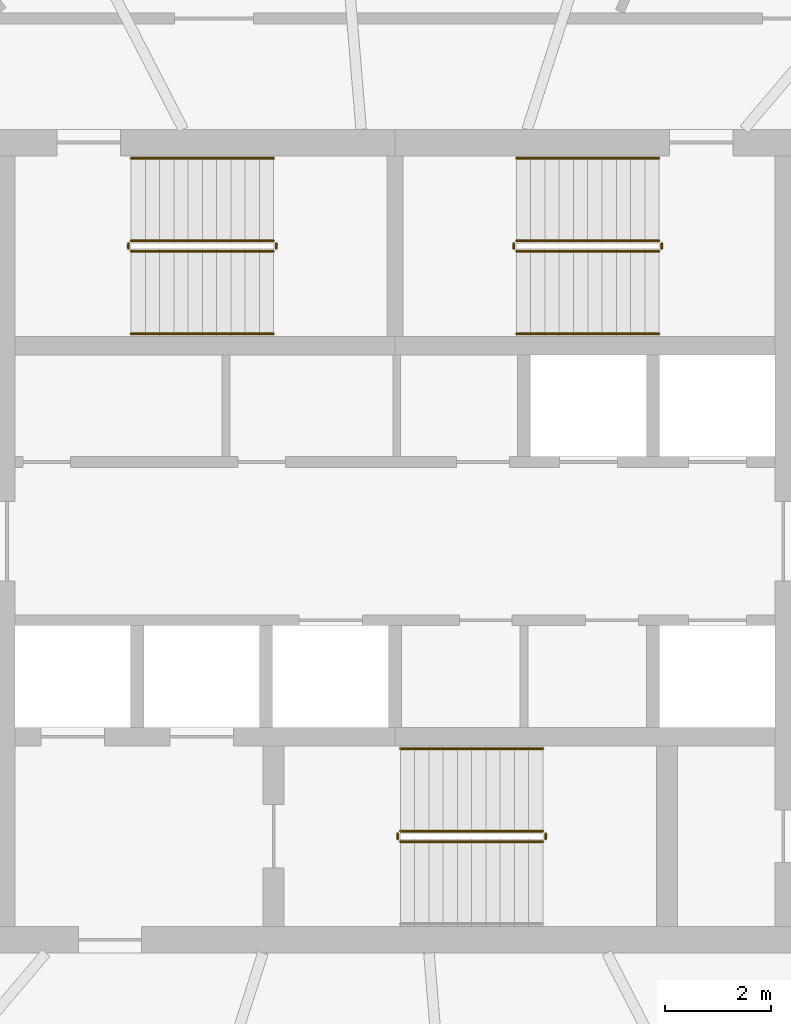
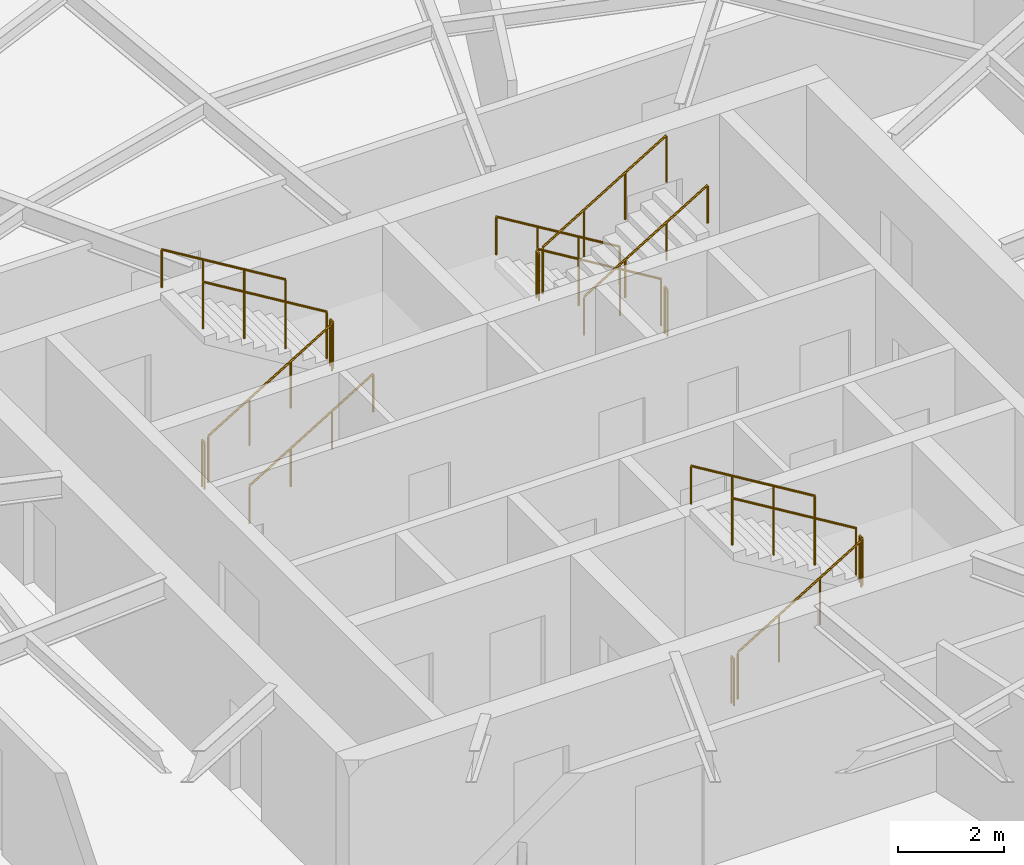
# One storey, part 13 of 14: 17 railings.
"""IFC4 building model written with IfcOpenShell, lengths in metres."""

from ifc_helpers import new_model, si_unit, direction, frame, origin, origin_2d, place, context, subcontext, project, spatial, circle, extrude, material, type_object, element, save


model = new_model("IFC4")

# Units and contexts
model_context = context("Model", 3, precision=1e-05, world=origin(), true_north=direction((0.0, 1.0)))
body_context = subcontext(model_context, "Body", "Model", "MODEL_VIEW")
ifc_project = project(units=[si_unit("LENGTHUNIT", "METRE"), si_unit("AREAUNIT", "SQUARE_METRE"), si_unit("VOLUMEUNIT", "CUBIC_METRE"), si_unit("PLANEANGLEUNIT", "RADIAN"), si_unit("MASSUNIT", "GRAM", prefix="KILO")], contexts=[model_context])

# Site, building, storey
site_placement = place(None, origin())
site = spatial("IfcSite", under=ifc_project, at=site_placement, CompositionType="ELEMENT")
building_placement = place(site_placement, origin())
building = spatial("IfcBuilding", under=site, at=building_placement, Name="Vermilion Reach Broadcast Tower", CompositionType="ELEMENT")
storey_placement = place(building_placement, frame((0.0, 0.0, 254.10009765625)))
storey = spatial("IfcBuildingStorey", under=building, at=storey_placement, Name="L62", CompositionType="ELEMENT", Elevation=254.10009765625)

# Railings
ifc_material_1 = material(Name="Stainless steel", Category="steel")
railing_type_1 = type_object("IfcRailingType", Name="Stair guard 1100", PredefinedType="GUARDRAIL", material=ifc_material_1)
railing_1_placement = place(storey_placement, frame((-11.0, 5.489990234375, 0.16357421875)))
element("IfcRailing", 1, at=railing_1_placement, inside=storey, type_object=railing_type_1, Name="L62 ST1 stair guard 1", PredefinedType="GUARDRAIL", context=body_context, shape_type="SweptSolid", body=[
    extrude(circle(Radius=0.02392578125, at=origin_2d()), frame((0.0, 0.0, 1.076171875), z_axis=(0.855212373127, 0.0, 0.518277721738), x_axis=(0.0, 1.0, 0.0)), (0.0, 0.0, 1.0), 3.156982421875),
    extrude(circle(Radius=0.02099609375, at=origin_2d()), origin(), (0.0, 0.0, 1.0), 1.052001953125),
    extrude(circle(Radius=0.02099609375, at=origin_2d()), frame((0.89990234375, 0.0, 0.54541015625)), (0.0, 0.0, 1.0), 1.052001953125),
    extrude(circle(Radius=0.02099609375, at=origin_2d()), frame((1.800048828125, 0.0, 1.0908203125)), (0.0, 0.0, 1.0), 1.052001953125),
    extrude(circle(Radius=0.02099609375, at=origin_2d()), frame((2.699951171875, 0.0, 1.63623046875)), (0.0, 0.0, 1.0), 1.052001953125),
])
railing_2_placement = place(storey_placement, frame((-8.25, 5.5400390625, 1.7998046875)))
element("IfcRailing", 2, at=railing_2_placement, inside=storey, type_object=railing_type_1, Name="L62 ST1 stair guard 2", PredefinedType="GUARDRAIL", context=body_context, shape_type="SweptSolid", body=[
    extrude(circle(Radius=0.02392578125, at=origin_2d()), frame((0.0, 0.0, 1.076171875), z_axis=(0.0, 1.0, 0.0), x_axis=(-1.0, 0.0, 0.0)), (0.0, 0.0, 1.0), 0.099853515625),
    extrude(circle(Radius=0.02099609375, at=origin_2d()), origin(), (0.0, 0.0, 1.0), 1.052001953125),
    extrude(circle(Radius=0.02099609375, at=origin_2d()), frame((0.0, 0.099853515625, 0.0)), (0.0, 0.0, 1.0), 1.052001953125),
])
railing_3_placement = place(storey_placement, frame((-8.300048828125, 5.68994140625, 1.963623046875)))
element("IfcRailing", 3, at=railing_3_placement, inside=storey, type_object=railing_type_1, Name="L62 ST1 stair guard 3", PredefinedType="GUARDRAIL", context=body_context, shape_type="SweptSolid", body=[
    extrude(circle(Radius=0.02392578125, at=origin_2d()), frame((0.0, 0.0, 1.076171875), z_axis=(-0.855212373127, 0.0, 0.518277721738), x_axis=(0.0, -1.0, 0.0)), (0.0, 0.0, 1.0), 3.156982421875),
    extrude(circle(Radius=0.02099609375, at=origin_2d()), origin(), (0.0, 0.0, 1.0), 1.052001953125),
    extrude(circle(Radius=0.02099609375, at=origin_2d()), frame((-0.89990234375, 0.0, 0.54541015625)), (0.0, 0.0, 1.0), 1.052001953125),
    extrude(circle(Radius=0.02099609375, at=origin_2d()), frame((-1.800048828125, 0.0, 1.0908203125)), (0.0, 0.0, 1.0), 1.052001953125),
    extrude(circle(Radius=0.02099609375, at=origin_2d()), frame((-2.699951171875, 0.0, 1.63623046875)), (0.0, 0.0, 1.0), 1.052001953125),
])
railing_4_placement = place(storey_placement, frame((-11.050048828125, 5.5400390625, 0.0)))
element("IfcRailing", 4, at=railing_4_placement, inside=storey, type_object=railing_type_1, Name="L62 ST1 stair guard 4", PredefinedType="GUARDRAIL", context=body_context, shape_type="SweptSolid", body=[
    extrude(circle(Radius=0.02392578125, at=origin_2d()), frame((0.0, 0.0, 1.076171875), z_axis=(0.0, 1.0, 0.0), x_axis=(-1.0, 0.0, 0.0)), (0.0, 0.0, 1.0), 0.099853515625),
    extrude(circle(Radius=0.02099609375, at=origin_2d()), origin(), (0.0, 0.0, 1.0), 1.052001953125),
    extrude(circle(Radius=0.02099609375, at=origin_2d()), frame((0.0, 0.099853515625, 0.0)), (0.0, 0.0, 1.0), 1.052001953125),
])
railing_5_placement = place(storey_placement, frame((-1.0, 5.68994140625, 0.16357421875)))
element("IfcRailing", 5, at=railing_5_placement, inside=storey, type_object=railing_type_1, Name="L62 ST2 stair guard 1", PredefinedType="GUARDRAIL", context=body_context, shape_type="SweptSolid", body=[
    extrude(circle(Radius=0.02392578125, at=origin_2d()), frame((0.0, 0.0, 1.076171875), z_axis=(-0.855212373127, 0.0, 0.518277721738), x_axis=(0.0, -1.0, 0.0)), (0.0, 0.0, 1.0), 3.156982421875),
    extrude(circle(Radius=0.02099609375, at=origin_2d()), origin(), (0.0, 0.0, 1.0), 1.052001953125),
    extrude(circle(Radius=0.02099609375, at=origin_2d()), frame((-0.89990234375, 0.0, 0.54541015625)), (0.0, 0.0, 1.0), 1.052001953125),
    extrude(circle(Radius=0.02099609375, at=origin_2d()), frame((-1.800048828125, 0.0, 1.0908203125)), (0.0, 0.0, 1.0), 1.052001953125),
    extrude(circle(Radius=0.02099609375, at=origin_2d()), frame((-2.699951171875, 0.0, 1.63623046875)), (0.0, 0.0, 1.0), 1.052001953125),
])
railing_6_placement = place(storey_placement, frame((-3.75, 5.639892578125, 1.7998046875)))
element("IfcRailing", 6, at=railing_6_placement, inside=storey, type_object=railing_type_1, Name="L62 ST2 stair guard 2", PredefinedType="GUARDRAIL", context=body_context, shape_type="SweptSolid", body=[
    extrude(circle(Radius=0.02392578125, at=origin_2d()), frame((0.0, 0.0, 1.076171875), z_axis=(0.0, -1.0, 0.0), x_axis=(1.0, 0.0, 0.0)), (0.0, 0.0, 1.0), 0.099853515625),
    extrude(circle(Radius=0.02099609375, at=origin_2d()), origin(), (0.0, 0.0, 1.0), 1.052001953125),
    extrude(circle(Radius=0.02099609375, at=origin_2d()), frame((0.0, -0.099853515625, 0.0)), (0.0, 0.0, 1.0), 1.052001953125),
])
railing_7_placement = place(storey_placement, frame((-3.699951171875, 5.489990234375, 1.963623046875)))
element("IfcRailing", 7, at=railing_7_placement, inside=storey, type_object=railing_type_1, Name="L62 ST2 stair guard 3", PredefinedType="GUARDRAIL", context=body_context, shape_type="SweptSolid", body=[
    extrude(circle(Radius=0.02392578125, at=origin_2d()), frame((0.0, 0.0, 1.076171875), z_axis=(0.855212373127, 0.0, 0.518277721738), x_axis=(0.0, 1.0, 0.0)), (0.0, 0.0, 1.0), 3.156982421875),
    extrude(circle(Radius=0.02099609375, at=origin_2d()), origin(), (0.0, 0.0, 1.0), 1.052001953125),
    extrude(circle(Radius=0.02099609375, at=origin_2d()), frame((0.89990234375, 0.0, 0.54541015625)), (0.0, 0.0, 1.0), 1.052001953125),
    extrude(circle(Radius=0.02099609375, at=origin_2d()), frame((1.800048828125, 0.0, 1.0908203125)), (0.0, 0.0, 1.0), 1.052001953125),
    extrude(circle(Radius=0.02099609375, at=origin_2d()), frame((2.699951171875, 0.0, 1.63623046875)), (0.0, 0.0, 1.0), 1.052001953125),
])
railing_8_placement = place(storey_placement, frame((-0.949951171875, 5.639892578125, 0.0)))
element("IfcRailing", 8, at=railing_8_placement, inside=storey, type_object=railing_type_1, Name="L62 ST2 stair guard 4", PredefinedType="GUARDRAIL", context=body_context, shape_type="SweptSolid", body=[
    extrude(circle(Radius=0.02392578125, at=origin_2d()), frame((0.0, 0.0, 1.076171875), z_axis=(0.0, -1.0, 0.0), x_axis=(1.0, 0.0, 0.0)), (0.0, 0.0, 1.0), 0.099853515625),
    extrude(circle(Radius=0.02099609375, at=origin_2d()), origin(), (0.0, 0.0, 1.0), 1.052001953125),
    extrude(circle(Radius=0.02099609375, at=origin_2d()), frame((0.0, -0.099853515625, 0.0)), (0.0, 0.0, 1.0), 1.052001953125),
])
railing_9_placement = place(storey_placement, frame((-5.89990234375, -5.68994140625, 0.16357421875)))
element("IfcRailing", 9, at=railing_9_placement, inside=storey, type_object=railing_type_1, Name="L62 ST3 stair guard 1", PredefinedType="GUARDRAIL", context=body_context, shape_type="SweptSolid", body=[
    extrude(circle(Radius=0.02392578125, at=origin_2d()), frame((0.0, 0.0, 1.076171875), z_axis=(0.855212373127, 0.0, 0.518277721738), x_axis=(0.0, 1.0, 0.0)), (0.0, 0.0, 1.0), 3.156982421875),
    extrude(circle(Radius=0.02099609375, at=origin_2d()), origin(), (0.0, 0.0, 1.0), 1.052001953125),
    extrude(circle(Radius=0.02099609375, at=origin_2d()), frame((0.89990234375, 0.0, 0.54541015625)), (0.0, 0.0, 1.0), 1.052001953125),
    extrude(circle(Radius=0.02099609375, at=origin_2d()), frame((1.800048828125, 0.0, 1.0908203125)), (0.0, 0.0, 1.0), 1.052001953125),
    extrude(circle(Radius=0.02099609375, at=origin_2d()), frame((2.699951171875, 0.0, 1.63623046875)), (0.0, 0.0, 1.0), 1.052001953125),
])
railing_10_placement = place(storey_placement, frame((-3.14990234375, -5.639892578125, 1.7998046875)))
element("IfcRailing", 10, at=railing_10_placement, inside=storey, type_object=railing_type_1, Name="L62 ST3 stair guard 2", PredefinedType="GUARDRAIL", context=body_context, shape_type="SweptSolid", body=[
    extrude(circle(Radius=0.02392578125, at=origin_2d()), frame((0.0, 0.0, 1.076171875), z_axis=(0.0, 1.0, 0.0), x_axis=(-1.0, 0.0, 0.0)), (0.0, 0.0, 1.0), 0.099853515625),
    extrude(circle(Radius=0.02099609375, at=origin_2d()), origin(), (0.0, 0.0, 1.0), 1.052001953125),
    extrude(circle(Radius=0.02099609375, at=origin_2d()), frame((0.0, 0.099853515625, 0.0)), (0.0, 0.0, 1.0), 1.052001953125),
])
railing_11_placement = place(storey_placement, frame((-3.199951171875, -5.489990234375, 1.963623046875)))
element("IfcRailing", 11, at=railing_11_placement, inside=storey, type_object=railing_type_1, Name="L62 ST3 stair guard 3", PredefinedType="GUARDRAIL", context=body_context, shape_type="SweptSolid", body=[
    extrude(circle(Radius=0.02392578125, at=origin_2d()), frame((0.0, 0.0, 1.076171875), z_axis=(-0.855212373127, 0.0, 0.518277721738), x_axis=(0.0, -1.0, 0.0)), (0.0, 0.0, 1.0), 3.156982421875),
    extrude(circle(Radius=0.02099609375, at=origin_2d()), origin(), (0.0, 0.0, 1.0), 1.052001953125),
    extrude(circle(Radius=0.02099609375, at=origin_2d()), frame((-0.89990234375, 0.0, 0.54541015625)), (0.0, 0.0, 1.0), 1.052001953125),
    extrude(circle(Radius=0.02099609375, at=origin_2d()), frame((-1.800048828125, 0.0, 1.0908203125)), (0.0, 0.0, 1.0), 1.052001953125),
    extrude(circle(Radius=0.02099609375, at=origin_2d()), frame((-2.699951171875, 0.0, 1.63623046875)), (0.0, 0.0, 1.0), 1.052001953125),
])
railing_12_placement = place(storey_placement, frame((-5.949951171875, -5.639892578125, 0.0)))
element("IfcRailing", 12, at=railing_12_placement, inside=storey, type_object=railing_type_1, Name="L62 ST3 stair guard 4", PredefinedType="GUARDRAIL", context=body_context, shape_type="SweptSolid", body=[
    extrude(circle(Radius=0.02392578125, at=origin_2d()), frame((0.0, 0.0, 1.076171875), z_axis=(0.0, 1.0, 0.0), x_axis=(-1.0, 0.0, 0.0)), (0.0, 0.0, 1.0), 0.099853515625),
    extrude(circle(Radius=0.02099609375, at=origin_2d()), origin(), (0.0, 0.0, 1.0), 1.052001953125),
    extrude(circle(Radius=0.02099609375, at=origin_2d()), frame((0.0, 0.099853515625, 0.0)), (0.0, 0.0, 1.0), 1.052001953125),
])
ifc_material_2 = material(Name="Stainless steel", Category="steel")
railing_type_2 = type_object("IfcRailingType", Name="Stair handrail", PredefinedType="HANDRAIL", material=ifc_material_2)
railing_13_placement = place(storey_placement, frame((-11.0, 3.929931640625, 0.16357421875)))
element("IfcRailing", 13, at=railing_13_placement, inside=storey, type_object=railing_type_2, Name="L62 ST1 stair handrail 1", PredefinedType="HANDRAIL", context=body_context, shape_type="SweptSolid", body=[
    extrude(circle(Radius=0.02392578125, at=origin_2d()), frame((0.0, 0.0, 0.8759765625), z_axis=(0.855212373127, 0.0, 0.518277721738), x_axis=(0.0, 1.0, 0.0)), (0.0, 0.0, 1.0), 3.156982421875),
    extrude(circle(Radius=0.02099609375, at=origin_2d()), origin(), (0.0, 0.0, 1.0), 0.851806640625),
    extrude(circle(Radius=0.02099609375, at=origin_2d()), frame((0.89990234375, 0.0, 0.54541015625)), (0.0, 0.0, 1.0), 0.851806640625),
    extrude(circle(Radius=0.02099609375, at=origin_2d()), frame((1.800048828125, 0.0, 1.0908203125)), (0.0, 0.0, 1.0), 0.851806640625),
    extrude(circle(Radius=0.02099609375, at=origin_2d()), frame((2.699951171875, 0.0, 1.63623046875)), (0.0, 0.0, 1.0), 0.851806640625),
])
for number, where, name in (
    (14, (-8.300048828125, 7.25, 1.963623046875), "L62 ST1 stair handrail 2"),
    (15, (-1.0, 7.25, 0.16357421875), "L62 ST2 stair handrail 1"),
):
    element("IfcRailing", number, at=place(storey_placement, frame(where)), inside=storey, type_object=railing_type_2, Name=name, PredefinedType="HANDRAIL", context=body_context, shape_type="SweptSolid", body=[
        extrude(circle(Radius=0.02392578125, at=origin_2d()), frame((0.0, 0.0, 0.8759765625), z_axis=(-0.855212373127, 0.0, 0.518277721738), x_axis=(0.0, -1.0, 0.0)), (0.0, 0.0, 1.0), 3.156982421875),
        extrude(circle(Radius=0.02099609375, at=origin_2d()), origin(), (0.0, 0.0, 1.0), 0.851806640625),
        extrude(circle(Radius=0.02099609375, at=origin_2d()), frame((-0.89990234375, 0.0, 0.54541015625)), (0.0, 0.0, 1.0), 0.851806640625),
        extrude(circle(Radius=0.02099609375, at=origin_2d()), frame((-1.800048828125, 0.0, 1.0908203125)), (0.0, 0.0, 1.0), 0.851806640625),
        extrude(circle(Radius=0.02099609375, at=origin_2d()), frame((-2.699951171875, 0.0, 1.63623046875)), (0.0, 0.0, 1.0), 0.851806640625),
    ])
railing_14_placement = place(storey_placement, frame((-3.699951171875, 3.929931640625, 1.963623046875)))
element("IfcRailing", 16, at=railing_14_placement, inside=storey, type_object=railing_type_2, Name="L62 ST2 stair handrail 2", PredefinedType="HANDRAIL", context=body_context, shape_type="SweptSolid", body=[
    extrude(circle(Radius=0.02392578125, at=origin_2d()), frame((0.0, 0.0, 0.8759765625), z_axis=(0.855212373127, 0.0, 0.518277721738), x_axis=(0.0, 1.0, 0.0)), (0.0, 0.0, 1.0), 3.156982421875),
    extrude(circle(Radius=0.02099609375, at=origin_2d()), origin(), (0.0, 0.0, 1.0), 0.851806640625),
    extrude(circle(Radius=0.02099609375, at=origin_2d()), frame((0.89990234375, 0.0, 0.54541015625)), (0.0, 0.0, 1.0), 0.851806640625),
    extrude(circle(Radius=0.02099609375, at=origin_2d()), frame((1.800048828125, 0.0, 1.0908203125)), (0.0, 0.0, 1.0), 0.851806640625),
    extrude(circle(Radius=0.02099609375, at=origin_2d()), frame((2.699951171875, 0.0, 1.63623046875)), (0.0, 0.0, 1.0), 0.851806640625),
])
railing_15_placement = place(storey_placement, frame((-3.199951171875, -3.929931640625, 1.963623046875)))
element("IfcRailing", 17, at=railing_15_placement, inside=storey, type_object=railing_type_2, Name="L62 ST3 stair handrail 2", PredefinedType="HANDRAIL", context=body_context, shape_type="SweptSolid", body=[
    extrude(circle(Radius=0.02392578125, at=origin_2d()), frame((0.0, 0.0, 0.8759765625), z_axis=(-0.855212373127, 0.0, 0.518277721738), x_axis=(0.0, -1.0, 0.0)), (0.0, 0.0, 1.0), 3.156982421875),
    extrude(circle(Radius=0.02099609375, at=origin_2d()), origin(), (0.0, 0.0, 1.0), 0.851806640625),
    extrude(circle(Radius=0.02099609375, at=origin_2d()), frame((-0.89990234375, 0.0, 0.54541015625)), (0.0, 0.0, 1.0), 0.851806640625),
    extrude(circle(Radius=0.02099609375, at=origin_2d()), frame((-1.800048828125, 0.0, 1.0908203125)), (0.0, 0.0, 1.0), 0.851806640625),
    extrude(circle(Radius=0.02099609375, at=origin_2d()), frame((-2.699951171875, 0.0, 1.63623046875)), (0.0, 0.0, 1.0), 0.851806640625),
])

save(model, "model.ifc")
